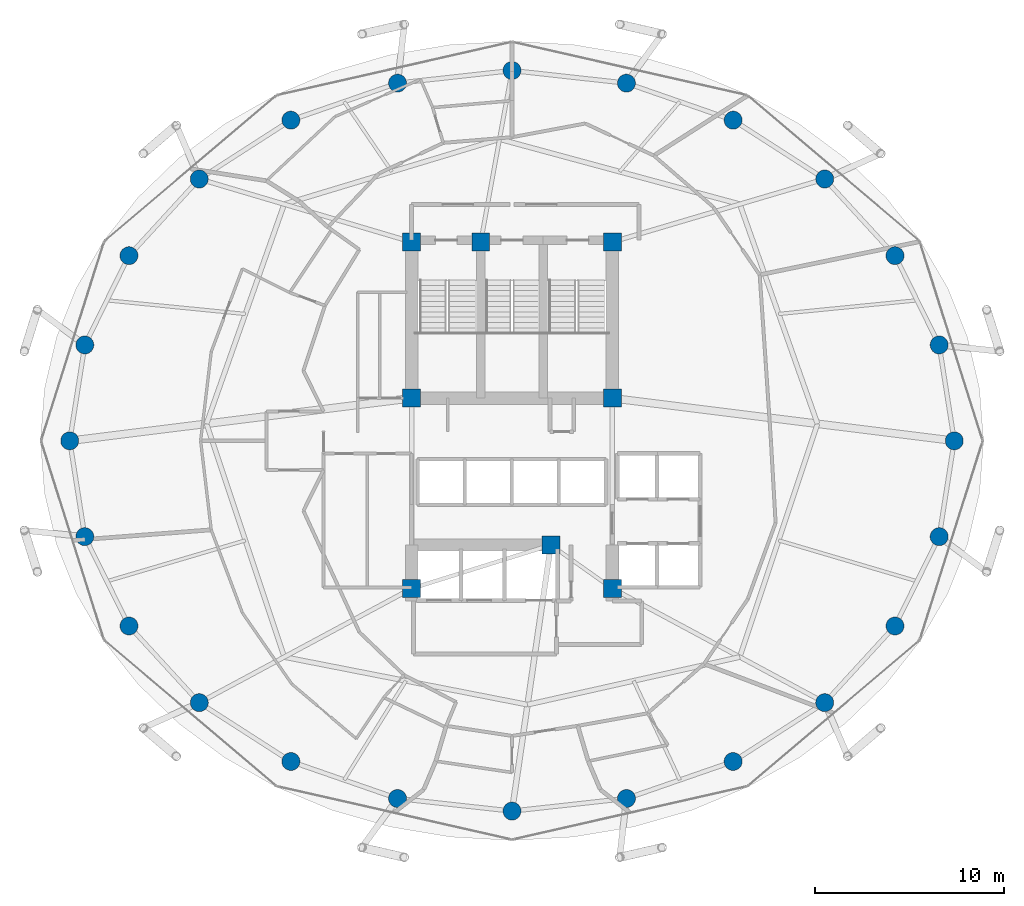
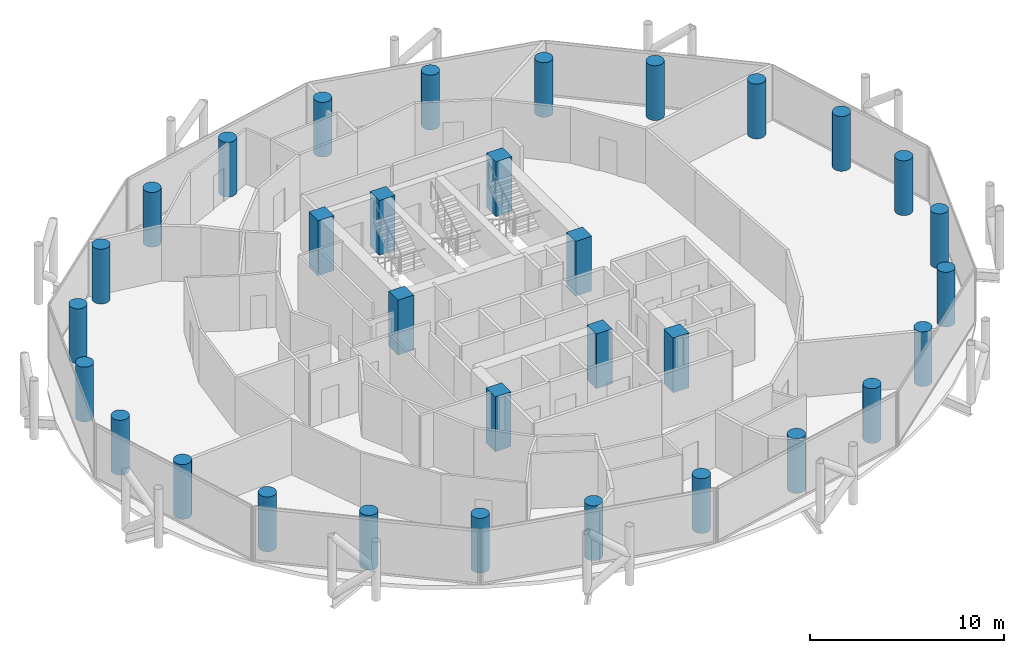
# One storey, part 1 of 26: 32 columns.
"""IFC4 building model written with IfcOpenShell, lengths in metres."""

from ifc_helpers import new_model, si_unit, direction, frame, origin, origin_2d, place, context, subcontext, project, spatial, rectangle, circle, extrude, material, material_profile, profile_set, type_object, element, save


model = new_model("IFC4")

# Units and contexts
model_context = context("Model", 3, precision=1e-05, world=origin(), true_north=direction((0.0, 1.0)))
body_context = subcontext(model_context, "Body", "Model", "MODEL_VIEW")
ifc_project = project(units=[si_unit("LENGTHUNIT", "METRE"), si_unit("AREAUNIT", "SQUARE_METRE"), si_unit("VOLUMEUNIT", "CUBIC_METRE"), si_unit("PLANEANGLEUNIT", "RADIAN"), si_unit("MASSUNIT", "GRAM", prefix="KILO")], contexts=[model_context])

# Site, building, storey
site_placement = place(None, origin())
site = spatial("IfcSite", under=ifc_project, at=site_placement, CompositionType="ELEMENT")
building_placement = place(site_placement, origin())
building = spatial("IfcBuilding", under=site, at=building_placement, Name="Nuhasar Tower", CompositionType="ELEMENT")
storey_placement = place(building_placement, frame((0.0, 0.0, 144.14990234375)))
storey = spatial("IfcBuildingStorey", under=building, at=storey_placement, Name="L34", CompositionType="ELEMENT", Elevation=144.14990234375)

# Columns
ifc_material = material(Name="Concrete C65/80", Category="concrete")
ifc_material_profile_1 = material_profile(ifc_material, circle(Radius=0.47509765625, at=origin_2d()), Name="CFT950")
ifc_profile_set_1 = profile_set([ifc_material_profile_1], Name="Concrete C65/80")
column_type_1 = type_object("IfcColumnType", Name="COL-CFT-950", PredefinedType="COLUMN", material=ifc_profile_set_1)
for number, where, z_axis, x_axis, name in (
    (1, (62.35009765625, 26.800048828125, 0.0), (0.0, 0.0, 1.0), (1.0, 0.0, 0.0), "L34 Perimeter Composite Column TC-01"),
    (2, (61.553955078125, 31.860107421875, 0.0), (0.0, 0.0, 1.0), (1.0, 0.0, 0.0), "L34 Perimeter Composite Column TC-02"),
    (3, (59.221923828125, 36.574951171875, 0.0), (0.0, 0.0, 1.0), (1.0, 0.0, 0.0), "L34 Perimeter Composite Column TC-03"),
    (4, (55.510986328125, 40.6240234375, 0.0), (0.0, 0.0, 1.0), (1.0, 0.0, 0.0), "L34 Perimeter Composite Column TC-04"),
    (5, (50.675048828125, 43.73095703125, 0.0), (0.0, 0.0, 1.0), (1.0, 0.0, 0.0), "L34 Perimeter Composite Column TC-05"),
    (6, (45.04296875, 45.68408203125, 0.0), (0.0, 0.0, 1.0), (1.0, 0.0, 0.0), "L34 Perimeter Composite Column TC-06"),
    (7, (39.0, 46.35009765625, 0.0), (0.0, 0.0, 1.0), (1.0, 0.0, 0.0), "L34 Perimeter Composite Column TC-07"),
    (8, (32.95703125, 45.68408203125, 0.0), (0.0, 0.0, 1.0), (1.0, 0.0, 0.0), "L34 Perimeter Composite Column TC-08"),
    (9, (27.324951171875, 43.73095703125, 0.0), (0.0, 0.0, 1.0), (1.0, 0.0, 0.0), "L34 Perimeter Composite Column TC-09"),
    (10, (22.489013671875, 40.6240234375, 0.0), (0.0, 0.0, 1.0), (1.0, 0.0, 0.0), "L34 Perimeter Composite Column TC-10"),
    (11, (18.778076171875, 36.574951171875, 0.0), (0.0, 0.0, 1.0), (1.0, 0.0, 0.0), "L34 Perimeter Composite Column TC-11"),
    (12, (16.446044921875, 31.860107421875, 0.0), (0.0, 0.0, 1.0), (1.0, 0.0, 0.0), "L34 Perimeter Composite Column TC-12"),
    (13, (15.64990234375, 26.800048828125, 0.0), (0.0, 0.0, 1.0), (1.0, 0.0, 0.0), "L34 Perimeter Composite Column TC-13"),
    (14, (16.446044921875, 21.739990234375, 0.0), (0.0, 0.0, 1.0), (1.0, 0.0, 0.0), "L34 Perimeter Composite Column TC-14"),
    (15, (18.778076171875, 17.02490234375, 0.0), (0.0, 0.0, 1.0), (1.0, 0.0, 0.0), "L34 Perimeter Composite Column TC-15"),
    (16, (22.489013671875, 12.97607421875, 0.0), (0.0, 0.0, 1.0), (1.0, 0.0, 0.0), "L34 Perimeter Composite Column TC-16"),
    (17, (27.324951171875, 9.868896484375, 0.0), (0.0, 0.0, 1.0), (1.0, 0.0, 0.0), "L34 Perimeter Composite Column TC-17"),
    (18, (32.95703125, 7.916015625, 0.0), (0.0, 0.0, 1.0), (1.0, 0.0, 0.0), "L34 Perimeter Composite Column TC-18"),
    (19, (39.0, 7.25, 0.0), (0.0, 0.0, 1.0), (1.0, 0.0, 0.0), "L34 Perimeter Composite Column TC-19"),
    (20, (45.04296875, 7.916015625, 0.0), (0.0, 0.0, 1.0), (1.0, 0.0, 0.0), "L34 Perimeter Composite Column TC-20"),
    (21, (50.675048828125, 9.868896484375, 0.0), (0.0, 0.0, 1.0), (1.0, 0.0, 0.0), "L34 Perimeter Composite Column TC-21"),
    (22, (55.510986328125, 12.97607421875, 0.0), (0.0, 0.0, 1.0), (1.0, 0.0, 0.0), "L34 Perimeter Composite Column TC-22"),
    (23, (59.221923828125, 17.02490234375, 0.0), (0.0, 0.0, 1.0), (1.0, 0.0, 0.0), "L34 Perimeter Composite Column TC-23"),
    (24, (61.553955078125, 21.739990234375, 0.0), (0.0, 0.0, 1.0), (1.0, 0.0, 0.0), "L34 Perimeter Composite Column TC-24"),
):
    element("IfcColumn", number, at=place(storey_placement, frame(where, z_axis=z_axis, x_axis=x_axis)), inside=storey, type_object=column_type_1, Name=name, PredefinedType="COLUMN", context=body_context, shape_type="SweptSolid", body=[
        extrude(circle(Radius=0.47509765625, at=origin_2d()), origin(), (0.0, 0.0, 1.0), 3.4501953125),
    ])
ifc_material_profile_2 = material_profile(ifc_material, rectangle(XDim=0.949951171875, YDim=0.949951171875, at=origin_2d()), Name="RC950X950")
ifc_profile_set_2 = profile_set([ifc_material_profile_2], Name="Concrete C65/80")
column_type_2 = type_object("IfcColumnType", Name="PIL-RC-950", PredefinedType="PILASTER", material=ifc_profile_set_2)
for number, where, z_axis, x_axis, name in (
    (25, (33.699951171875, 19.0, 0.0), (0.0, 0.0, 1.0), (1.0, 0.0, 0.0), "L34 Core Boundary Pilaster CC-01"),
    (26, (41.050048828125, 21.300048828125, 0.0), (0.0, 0.0, 1.0), (1.0, 0.0, 0.0), "L34 Core Boundary Pilaster CC-02"),
    (27, (44.300048828125, 19.0, 0.0), (0.0, 0.0, 1.0), (1.0, 0.0, 0.0), "L34 Core Boundary Pilaster CC-03"),
    (28, (44.300048828125, 29.050048828125, 0.0), (0.0, 0.0, 1.0), (1.0, 0.0, 0.0), "L34 Core Boundary Pilaster CC-04"),
    (29, (44.300048828125, 37.300048828125, 0.0), (0.0, 0.0, 1.0), (1.0, 0.0, 0.0), "L34 Core Boundary Pilaster CC-05"),
    (30, (37.35009765625, 37.300048828125, 0.0), (0.0, 0.0, 1.0), (1.0, 0.0, 0.0), "L34 Core Boundary Pilaster CC-06"),
    (31, (33.699951171875, 37.300048828125, 0.0), (0.0, 0.0, 1.0), (1.0, 0.0, 0.0), "L34 Core Boundary Pilaster CC-07"),
    (32, (33.699951171875, 29.050048828125, 0.0), (0.0, 0.0, 1.0), (1.0, 0.0, 0.0), "L34 Core Boundary Pilaster CC-08"),
):
    element("IfcColumn", number, at=place(storey_placement, frame(where, z_axis=z_axis, x_axis=x_axis)), inside=storey, type_object=column_type_2, Name=name, PredefinedType="PILASTER", context=body_context, shape_type="SweptSolid", body=[
        extrude(rectangle(XDim=0.949951171875, YDim=0.949951171875, at=origin_2d()), origin(), (0.0, 0.0, 1.0), 3.4501953125),
    ])

save(model, "model.ifc")
